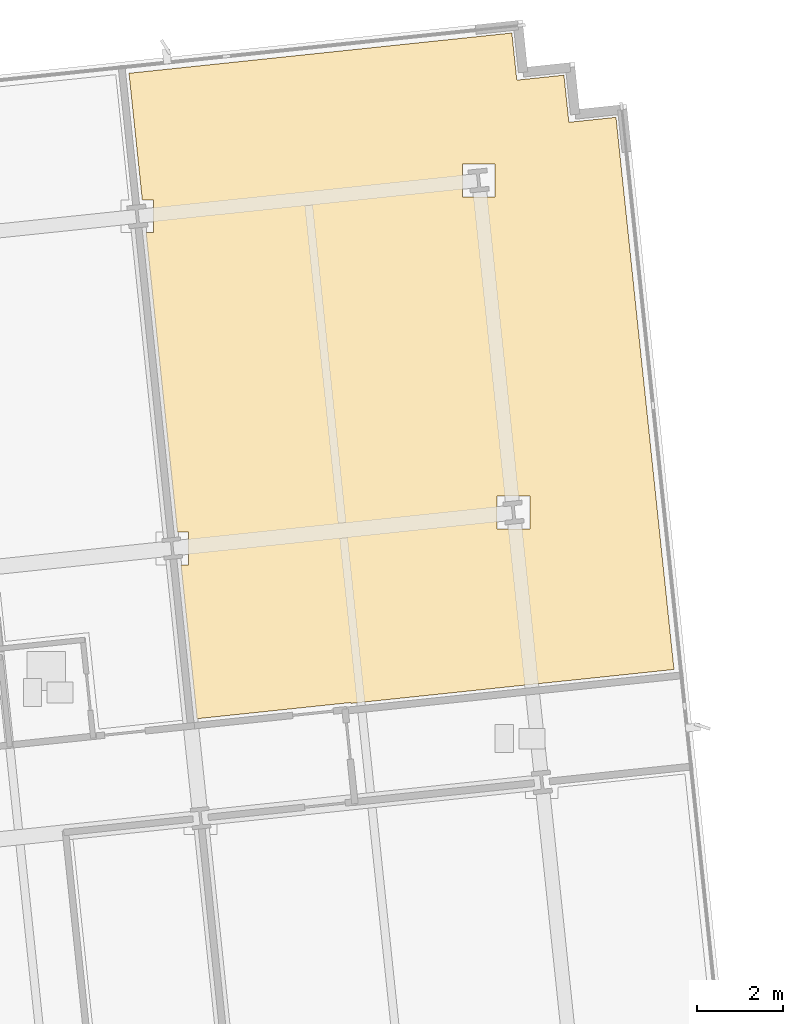
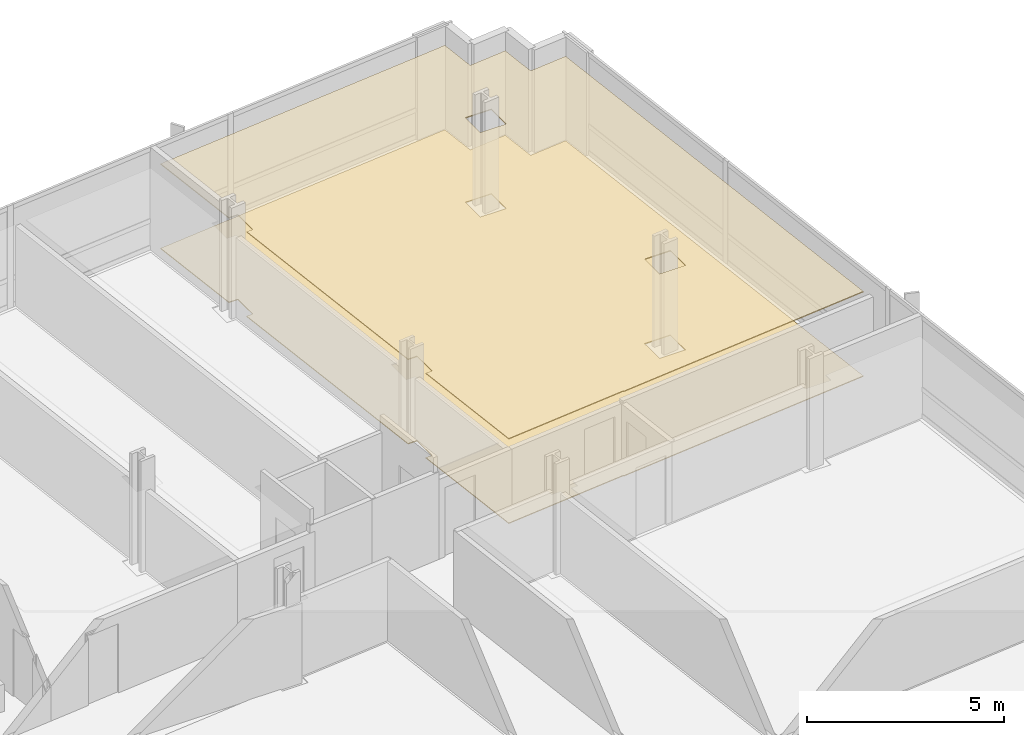
# One storey, part 19 of 20: 2 coverings.
"""IFC4 building model written with IfcOpenShell, lengths in metres."""

from ifc_helpers import new_model, si_unit, direction, frame, origin, place, context, subcontext, project, spatial, polyline, outline, extrude, material, layer, layer_set, type_object, element, save


model = new_model("IFC4")

# Units and contexts
model_context = context("Model", 3, precision=1e-05, world=origin(), true_north=direction((0.0, 1.0)))
body_context = subcontext(model_context, "Body", "Model", "MODEL_VIEW")
ifc_project = project(units=[si_unit("LENGTHUNIT", "METRE"), si_unit("AREAUNIT", "SQUARE_METRE"), si_unit("VOLUMEUNIT", "CUBIC_METRE"), si_unit("PLANEANGLEUNIT", "RADIAN"), si_unit("MASSUNIT", "GRAM", prefix="KILO")], contexts=[model_context])

# Site, building, storey
site_placement = place(None, origin())
site = spatial("IfcSite", under=ifc_project, at=site_placement, CompositionType="ELEMENT")
building_placement = place(site_placement, origin())
building = spatial("IfcBuilding", under=site, at=building_placement, Name="Solmavex Isthmus Hotel", CompositionType="ELEMENT")
storey_placement = place(building_placement, frame((0.0, 0.0, 87.0)))
storey = spatial("IfcBuildingStorey", under=building, at=storey_placement, Name="L23", CompositionType="ELEMENT", Elevation=87.0)

# Coverings
ifc_material_1 = material(Name="Gypsum plasterboard lining", Category="gypsum")
ifc_layer_1 = layer(ifc_material_1, 0.030029296875)
ifc_layer_set_1 = layer_set([ifc_layer_1], Name="Gypsum plasterboard lining")
covering_type_1 = type_object("IfcCoveringType", Name="COV-CEIL-GYP", PredefinedType="CEILING", material=ifc_layer_set_1)
covering_1_placement = place(storey_placement, frame((0.0, 0.0, 2.6201171875)))
element("IfcCovering", 1, at=covering_1_placement, inside=storey, type_object=covering_type_1, Name="Suspended Acoustic Ceiling L23-RM08", PredefinedType="CEILING", context=body_context, shape_type="SweptSolid", body=[
    extrude(outline(polyline([(20.67724609375, 12.3017578125), (20.94140625, 12.3017578125), (20.94140625, 11.541748046875), (20.75732421875, 11.541748046875), (21.133056640625, 7.967041015625), (24.713134765625, 8.34326171875), (24.71533203125, 8.3232421875), (32.2119140625, 9.111328125), (30.950927734375, 21.110107421875), (30.86474609375, 21.9306640625), (29.770751953125, 21.815673828125), (29.65576171875, 22.90966796875), (28.561767578125, 22.794677734375), (28.44677734375, 23.888671875), (27.626220703125, 23.802490234375), (19.5576171875, 22.954345703125), (19.866943359375, 20.011474609375), (20.131103515625, 20.011474609375), (20.131103515625, 19.25146484375), (19.947021484375, 19.25146484375), (20.67724609375, 12.3017578125)]), holes=[polyline([(28.105712890625, 12.374755859375), (28.105712890625, 13.134765625), (28.86572265625, 13.134765625), (28.86572265625, 12.374755859375), (28.105712890625, 12.374755859375)]), polyline([(27.29541015625, 20.84423828125), (28.055419921875, 20.84423828125), (28.055419921875, 20.084228515625), (27.29541015625, 20.084228515625), (27.29541015625, 20.84423828125)])]), origin(), (0.0, 0.0, 1.0), 0.02978515625),
])
ifc_material_2 = material(Name="Travertine natural stone", Category="masonry")
ifc_layer_2 = layer(ifc_material_2, 0.02490234375)
ifc_layer_set_2 = layer_set([ifc_layer_2], Name="Travertine natural stone")
covering_type_2 = type_object("IfcCoveringType", Name="COV-FLOR-STN", PredefinedType="FLOORING", material=ifc_layer_set_2)
covering_2_placement = place(storey_placement, origin())
element("IfcCovering", 2, at=covering_2_placement, inside=storey, type_object=covering_type_2, Name="Stone and Timber Floor Finish L23-RM08", PredefinedType="FLOORING", context=body_context, shape_type="SweptSolid", body=[
    extrude(outline(polyline([(20.67724609375, 12.3017578125), (20.94140625, 12.3017578125), (20.94140625, 11.541748046875), (20.75732421875, 11.541748046875), (21.133056640625, 7.967041015625), (24.713134765625, 8.34326171875), (24.71533203125, 8.3232421875), (32.2119140625, 9.111328125), (30.950927734375, 21.110107421875), (30.86474609375, 21.9306640625), (29.770751953125, 21.815673828125), (29.65576171875, 22.90966796875), (28.561767578125, 22.794677734375), (28.44677734375, 23.888671875), (27.626220703125, 23.802490234375), (19.5576171875, 22.954345703125), (19.866943359375, 20.011474609375), (20.131103515625, 20.011474609375), (20.131103515625, 19.25146484375), (19.947021484375, 19.25146484375), (20.67724609375, 12.3017578125)]), holes=[polyline([(28.105712890625, 12.374755859375), (28.105712890625, 13.134765625), (28.86572265625, 13.134765625), (28.86572265625, 12.374755859375), (28.105712890625, 12.374755859375)]), polyline([(27.29541015625, 20.84423828125), (28.055419921875, 20.84423828125), (28.055419921875, 20.084228515625), (27.29541015625, 20.084228515625), (27.29541015625, 20.84423828125)])]), origin(), (0.0, 0.0, 1.0), 0.02490234375),
])

save(model, "model.ifc")
